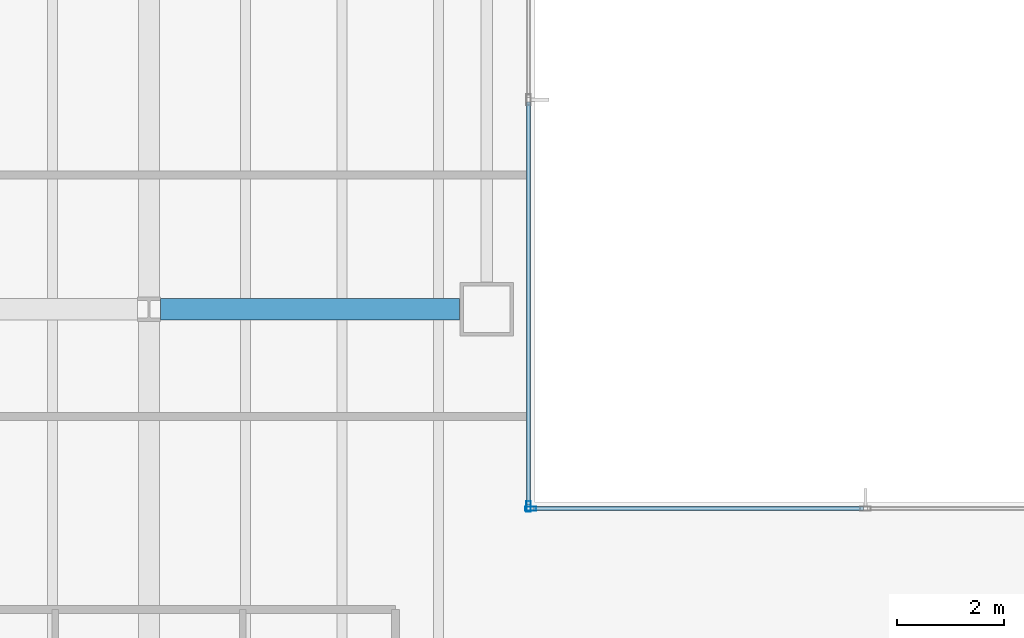
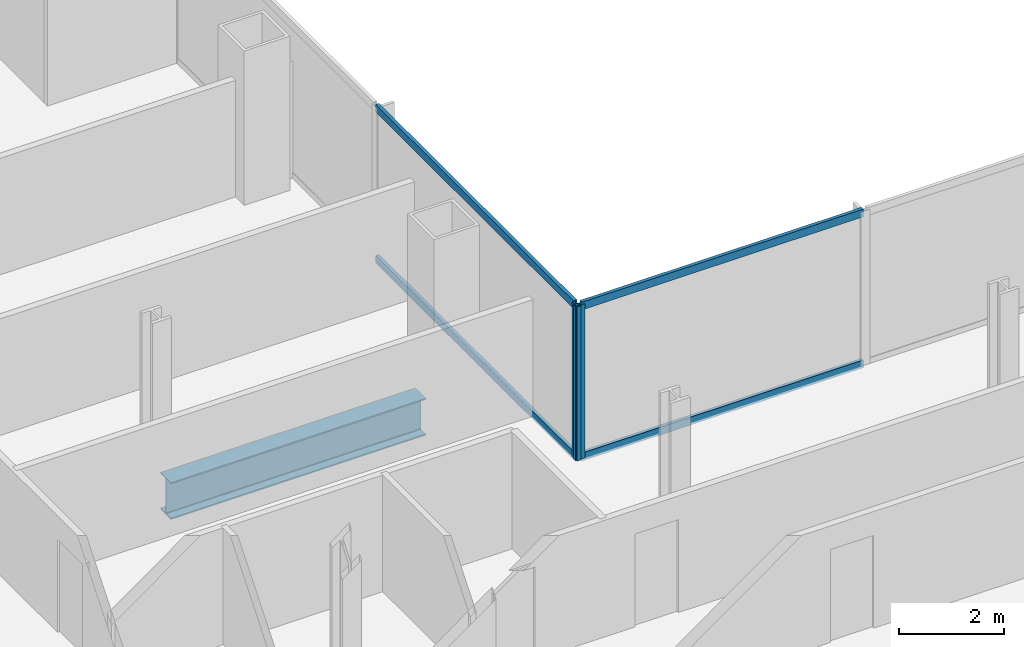
# One storey, part 6 of 24: 6 members, 1 beam, 2 elements without a shape of their own.
"""IFC4 building model written with IfcOpenShell, lengths in metres."""

from ifc_helpers import new_model, si_unit, direction, frame, origin, origin_2d, place, context, subcontext, project, spatial, hollow_rectangle, i_section, extrude, material, material_profile, profile_set, type_object, element, aggregate, save


model = new_model("IFC4")

# Units and contexts
model_context = context("Model", 3, precision=1e-05, world=origin(), true_north=direction((0.0, 1.0)))
body_context = subcontext(model_context, "Body", "Model", "MODEL_VIEW")
ifc_project = project(units=[si_unit("LENGTHUNIT", "METRE"), si_unit("AREAUNIT", "SQUARE_METRE"), si_unit("VOLUMEUNIT", "CUBIC_METRE"), si_unit("PLANEANGLEUNIT", "RADIAN"), si_unit("MASSUNIT", "GRAM", prefix="KILO")], contexts=[model_context])

# Site, building, storey
site_placement = place(None, origin())
site = spatial("IfcSite", under=ifc_project, at=site_placement, CompositionType="ELEMENT")
building_placement = place(site_placement, origin())
building = spatial("IfcBuilding", under=site, at=building_placement, Name="Cobrela Telecom Tower", CompositionType="ELEMENT")
storey_placement = place(building_placement, frame((0.0, 0.0, 69.64990234375)))
storey = spatial("IfcBuildingStorey", under=building, at=storey_placement, Name="L17", CompositionType="ELEMENT", Elevation=69.64990234375)

# Beam
ifc_material_1 = material(Name="Steel ASTM A992 Grade 50", Category="steel")
ifc_material_profile_1 = material_profile(ifc_material_1, i_section(OverallWidth=0.39892578125, OverallDepth=0.85595703125, WebThickness=0.018310546875, FlangeThickness=0.029296875, FilletRadius=0.02001953125, at=origin_2d()), Name="W33X201")
ifc_profile_set_1 = profile_set([ifc_material_profile_1], Name="Steel ASTM A992 Grade 50")
beam_type = type_object("IfcBeamType", Name="BM-GIRD-03", PredefinedType="USERDEFINED", material=ifc_profile_set_1)
beam_placement = place(storey_placement, frame((21.81591796875, 28.800048828125, -0.7080078125), z_axis=(1.0, 0.0, 0.0), x_axis=(0.0, 1.0, 0.0)))
element("IfcBeam", 1, at=beam_placement, inside=storey, type_object=beam_type, Name="L17 Primary Girder X24", ObjectType="GIRDER", PredefinedType="USERDEFINED", context=body_context, shape_type="SweptSolid", body=[
    extrude(i_section(OverallWidth=0.39892578125, OverallDepth=0.85595703125, WebThickness=0.018310546875, FlangeThickness=0.029296875, FilletRadius=0.02001953125, at=origin_2d()), origin(), (0.0, 0.0, 1.0), 5.5791015625),
])

# Curtain wall, member
ifc_material_2 = material(Name="Anodized Bronze Aluminium 6063-T6", Category="aluminium")
curtain_wall_type = type_object("IfcCurtainWallType", Name="CW-SYS-DATA", PredefinedType="USERDEFINED", material=ifc_material_2)
curtain_wall_1_placement = place(storey_placement, origin())
curtain_wall_1 = element("IfcCurtainWall", 2, at=curtain_wall_1_placement, inside=storey, type_object=curtain_wall_type, Name="L17 Unitised Bronze Curtain Wall 10", ObjectType="UNITISED CURTAIN WALL", PredefinedType="USERDEFINED")
ifc_material_profile_2 = material_profile(ifc_material_2, hollow_rectangle(XDim=0.080078125, YDim=0.199951171875, WallThickness=0.00390625, at=origin_2d()), Name="ALU 80x200x4")
ifc_profile_set_2 = profile_set([ifc_material_profile_2], Name="Anodized Bronze Aluminium 6063-T6")
member_type_1 = type_object("IfcMemberType", Name="CW-SYS-DATA-MUL", PredefinedType="MULLION", material=ifc_profile_set_2)
member_1_placement = place(storey_placement, frame((28.679931640625, 25.1201171875, 0.0), z_axis=(0.0, 0.0, 1.0), x_axis=(1.0, 0.0, 0.0)))
member_1 = element("IfcMember", 3, at=member_1_placement, type_object=member_type_1, Name="CW-DATA mullion 3", PredefinedType="MULLION", context=body_context, shape_type="SweptSolid", body=[
    extrude(hollow_rectangle(XDim=0.080078125, YDim=0.199951171875, WallThickness=0.00390625, at=origin_2d()), origin(), (0.0, 0.0, 1.0), 3.570068359375),
])

curtain_wall_2_placement = place(storey_placement, origin())
curtain_wall_2 = element("IfcCurtainWall", 4, at=curtain_wall_2_placement, inside=storey, type_object=curtain_wall_type, Name="L17 Unitised Bronze Curtain Wall 11", ObjectType="UNITISED CURTAIN WALL", PredefinedType="USERDEFINED")
member_2_placement = place(storey_placement, frame((28.719970703125, 25.080078125, 0.0), z_axis=(0.0, 0.0, 1.0), x_axis=(0.0, 1.0, 0.0)))
member_2 = element("IfcMember", 5, at=member_2_placement, type_object=member_type_1, Name="CW-DATA mullion 1", PredefinedType="MULLION", context=body_context, shape_type="SweptSolid", body=[
    extrude(hollow_rectangle(XDim=0.080078125, YDim=0.199951171875, WallThickness=0.00390625, at=origin_2d()), origin(), (0.0, 0.0, 1.0), 3.570068359375),
])

# Member
ifc_material_profile_3 = material_profile(ifc_material_2, hollow_rectangle(XDim=0.074951171875, YDim=0.179931640625, WallThickness=0.00390625, at=origin_2d()), Name="ALU 75x180x4")
ifc_profile_set_3 = profile_set([ifc_material_profile_3], Name="Anodized Bronze Aluminium 6063-T6")
member_type_2 = type_object("IfcMemberType", Name="CW-SYS-DATA-TRN", PredefinedType="USERDEFINED", material=ifc_profile_set_3)
member_3_placement = place(storey_placement, frame((28.679931640625, 32.6650390625, 0.03759765625), z_axis=(0.0, -1.0, 0.0), x_axis=(1.0, 0.0, 0.0)))
member_3 = element("IfcMember", 6, at=member_3_placement, type_object=member_type_2, Name="CW-DATA transom 2.1", ObjectType="TRANSOM", PredefinedType="USERDEFINED", context=body_context, shape_type="SweptSolid", body=[
    extrude(hollow_rectangle(XDim=0.074951171875, YDim=0.179931640625, WallThickness=0.00390625, at=origin_2d()), origin(), (0.0, 0.0, 1.0), 7.505126953125),
])

member_4_placement = place(storey_placement, frame((28.679931640625, 32.6650390625, 3.53271484375), z_axis=(0.0, -1.0, 0.0), x_axis=(1.0, 0.0, 0.0)))
member_4 = element("IfcMember", 7, at=member_4_placement, type_object=member_type_2, Name="CW-DATA transom 2.2", ObjectType="TRANSOM", PredefinedType="USERDEFINED", context=body_context, shape_type="SweptSolid", body=[
    extrude(hollow_rectangle(XDim=0.074951171875, YDim=0.179931640625, WallThickness=0.00390625, at=origin_2d()), origin(), (0.0, 0.0, 1.0), 7.505126953125),
])

aggregate(curtain_wall_1, [member_1, member_3, member_4])

member_5_placement = place(storey_placement, frame((28.760009765625, 25.080078125, 0.03759765625), z_axis=(1.0, 0.0, 0.0), x_axis=(0.0, 1.0, 0.0)))
member_5 = element("IfcMember", 8, at=member_5_placement, type_object=member_type_2, Name="CW-DATA transom 1.1", ObjectType="TRANSOM", PredefinedType="USERDEFINED", context=body_context, shape_type="SweptSolid", body=[
    extrude(hollow_rectangle(XDim=0.074951171875, YDim=0.179931640625, WallThickness=0.00390625, at=origin_2d()), origin(), (0.0, 0.0, 1.0), 6.163330078125),
])

member_6_placement = place(storey_placement, frame((28.760009765625, 25.080078125, 3.53271484375), z_axis=(1.0, 0.0, 0.0), x_axis=(0.0, 1.0, 0.0)))
member_6 = element("IfcMember", 9, at=member_6_placement, type_object=member_type_2, Name="CW-DATA transom 1.2", ObjectType="TRANSOM", PredefinedType="USERDEFINED", context=body_context, shape_type="SweptSolid", body=[
    extrude(hollow_rectangle(XDim=0.074951171875, YDim=0.179931640625, WallThickness=0.00390625, at=origin_2d()), origin(), (0.0, 0.0, 1.0), 6.163330078125),
])

aggregate(curtain_wall_2, [member_2, member_5, member_6])

save(model, "model.ifc")
